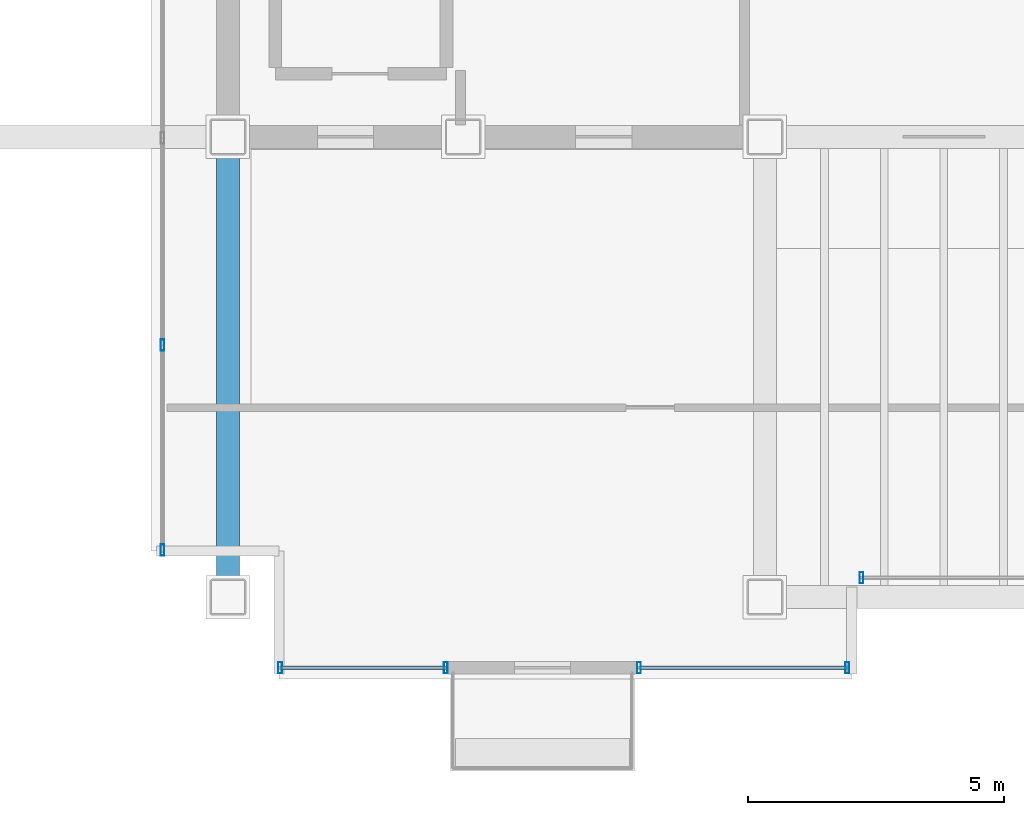
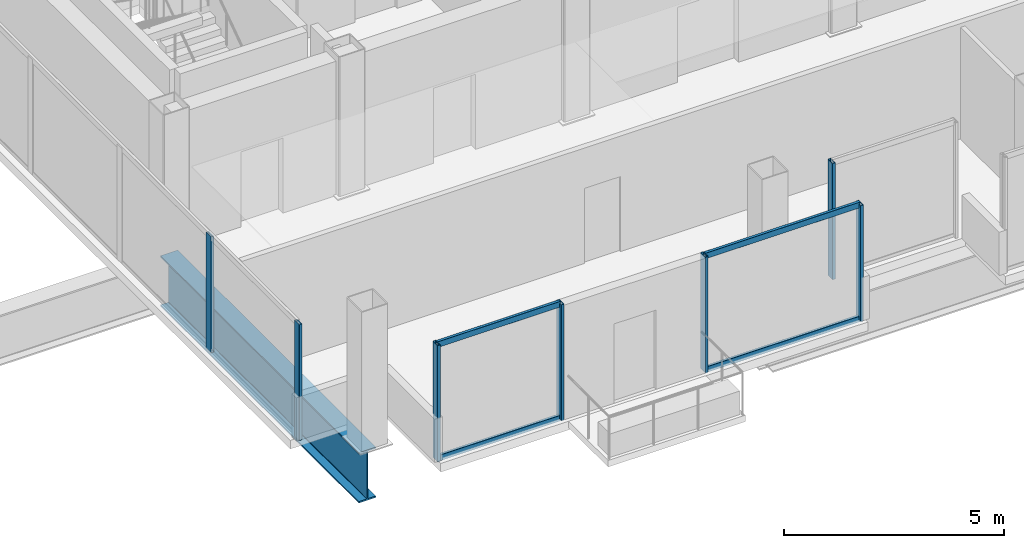
# One storey, part 2 of 17: 11 members, 1 beam, 4 elements without a shape of their own.
"""IFC4 building model written with IfcOpenShell, lengths in metres."""

from ifc_helpers import new_model, si_unit, direction, frame, origin, origin_2d, place, context, subcontext, project, spatial, hollow_rectangle, i_section, extrude, material, material_profile, profile_set, type_object, element, aggregate, save


model = new_model("IFC4")

# Units and contexts
model_context = context("Model", 3, precision=1e-05, world=origin(), true_north=direction((0.0, 1.0)))
body_context = subcontext(model_context, "Body", "Model", "MODEL_VIEW")
ifc_project = project(units=[si_unit("LENGTHUNIT", "METRE"), si_unit("AREAUNIT", "SQUARE_METRE"), si_unit("VOLUMEUNIT", "CUBIC_METRE"), si_unit("PLANEANGLEUNIT", "RADIAN"), si_unit("MASSUNIT", "GRAM", prefix="KILO")], contexts=[model_context])

# Site, building, storey
site_placement = place(None, origin())
site = spatial("IfcSite", under=ifc_project, at=site_placement, CompositionType="ELEMENT")
building_placement = place(site_placement, origin())
building = spatial("IfcBuilding", under=site, at=building_placement, Name="Noeulbin Bourse Tower", CompositionType="ELEMENT")
storey_placement = place(building_placement, frame((0.0, 0.0, 281.300048828125)))
storey = spatial("IfcBuildingStorey", under=building, at=storey_placement, Name="L70", CompositionType="ELEMENT", Elevation=281.300048828125)

# Beam
ifc_material_1 = material(Name="Steel S460", Category="steel")
ifc_material_profile_1 = material_profile(ifc_material_1, i_section(OverallWidth=0.449951171875, OverallDepth=1.39990234375, WebThickness=0.02392578125, FlangeThickness=0.0400390625, FilletRadius=0.02392578125, at=origin_2d()), Name="PG-1400x450x24x40", Category="LoadBearing")
ifc_profile_set_1 = profile_set([ifc_material_profile_1], Name="Steel S460")
beam_type = type_object("IfcBeamType", Name="BM-TRF-1400", PredefinedType="USERDEFINED", material=ifc_profile_set_1)
beam_placement = place(storey_placement, frame((13.5, 20.0, -0.93994140625), z_axis=(0.0, 1.0, 0.0), x_axis=(-1.0, 0.0, 0.0)))
element("IfcBeam", 1, at=beam_placement, inside=storey, type_object=beam_type, Name="Tower Primary Girder NS L70-1.1", ObjectType="GIRDER", PredefinedType="USERDEFINED", context=body_context, shape_type="SweptSolid", body=[
    extrude(i_section(OverallWidth=0.449951171875, OverallDepth=1.39990234375, WebThickness=0.02392578125, FlangeThickness=0.0400390625, FilletRadius=0.02392578125, at=origin_2d()), origin(), (0.0, 0.0, 1.0), 9.0),
])

# Curtain wall, member
ifc_material_2 = material(Name="High-Selectivity Low-Iron Glazing", Category="glass")
curtain_wall_type = type_object("IfcCurtainWallType", Name="CW-SYS-4", PredefinedType="NOTDEFINED", material=ifc_material_2)
curtain_wall_1_placement = place(storey_placement, origin())
curtain_wall_1 = element("IfcCurtainWall", 2, at=curtain_wall_1_placement, inside=storey, type_object=curtain_wall_type, Name="Unitised Curtain Wall CW-L70-SREC", PredefinedType="NOTDEFINED")
ifc_material_3 = material(Name="Anodised Aluminium 6063-T6", Category="aluminium")
ifc_material_profile_2 = material_profile(ifc_material_3, hollow_rectangle(XDim=0.074951171875, YDim=0.219970703125, WallThickness=0.0048828125, InnerFilletRadius=0.00244140625, OuterFilletRadius=0.0048828125, at=origin_2d()), Name="ALU-MULL-75x220x5", Category="LoadBearing")
ifc_profile_set_2 = profile_set([ifc_material_profile_2], Name="Anodised Aluminium 6063-T6")
member_type_1 = type_object("IfcMemberType", Name="CW-SYS-4-MUL", PredefinedType="MULLION", material=ifc_profile_set_2)
member_1_placement = place(storey_placement, frame((25.889892578125, 20.3798828125, -0.02001953125), z_axis=(0.0, 0.0, 1.0), x_axis=(1.0, 0.0, 0.0)))
member_1 = element("IfcMember", 3, at=member_1_placement, type_object=member_type_1, Name="Curtain Wall Mullion CW-L70-SREC-M00", PredefinedType="MULLION", context=body_context, shape_type="SweptSolid", body=[
    extrude(hollow_rectangle(XDim=0.074951171875, YDim=0.219970703125, WallThickness=0.0048828125, InnerFilletRadius=0.00244140625, OuterFilletRadius=0.0048828125, at=origin_2d()), origin(), (0.0, 0.0, 1.0), 3.219970703125),
])
aggregate(curtain_wall_1, [member_1])

# Curtain wall, members
curtain_wall_2_placement = place(storey_placement, origin())
curtain_wall_2 = element("IfcCurtainWall", 4, at=curtain_wall_2_placement, inside=storey, type_object=curtain_wall_type, Name="Unitised Curtain Wall CW-L70-S1", PredefinedType="NOTDEFINED")
member_2_placement = place(storey_placement, frame((14.52001953125, 18.6201171875, -0.02001953125), z_axis=(0.0, 0.0, 1.0), x_axis=(1.0, 0.0, 0.0)))
member_2 = element("IfcMember", 5, at=member_2_placement, type_object=member_type_1, Name="Curtain Wall Mullion CW-L70-S1-M00", PredefinedType="MULLION", context=body_context, shape_type="SweptSolid", body=[
    extrude(hollow_rectangle(XDim=0.074951171875, YDim=0.219970703125, WallThickness=0.0048828125, InnerFilletRadius=0.00244140625, OuterFilletRadius=0.0048828125, at=origin_2d()), origin(), (0.0, 0.0, 1.0), 3.219970703125),
])
member_3_placement = place(storey_placement, frame((17.760009765625, 18.6201171875, -0.02001953125), z_axis=(0.0, 0.0, 1.0), x_axis=(1.0, 0.0, 0.0)))
member_3 = element("IfcMember", 6, at=member_3_placement, type_object=member_type_1, Name="Curtain Wall Mullion CW-L70-S1-M01", PredefinedType="MULLION", context=body_context, shape_type="SweptSolid", body=[
    extrude(hollow_rectangle(XDim=0.074951171875, YDim=0.219970703125, WallThickness=0.0048828125, InnerFilletRadius=0.00244140625, OuterFilletRadius=0.0048828125, at=origin_2d()), origin(), (0.0, 0.0, 1.0), 3.219970703125),
])

curtain_wall_3_placement = place(storey_placement, origin())
curtain_wall_3 = element("IfcCurtainWall", 7, at=curtain_wall_3_placement, inside=storey, type_object=curtain_wall_type, Name="Unitised Curtain Wall CW-L70-S2", PredefinedType="NOTDEFINED")
member_4_placement = place(storey_placement, frame((21.5400390625, 18.6201171875, -0.02001953125), z_axis=(0.0, 0.0, 1.0), x_axis=(1.0, 0.0, 0.0)))
member_4 = element("IfcMember", 8, at=member_4_placement, type_object=member_type_1, Name="Curtain Wall Mullion CW-L70-S2-M00", PredefinedType="MULLION", context=body_context, shape_type="SweptSolid", body=[
    extrude(hollow_rectangle(XDim=0.074951171875, YDim=0.219970703125, WallThickness=0.0048828125, InnerFilletRadius=0.00244140625, OuterFilletRadius=0.0048828125, at=origin_2d()), origin(), (0.0, 0.0, 1.0), 3.219970703125),
])
member_5_placement = place(storey_placement, frame((25.610107421875, 18.6201171875, -0.02001953125), z_axis=(0.0, 0.0, 1.0), x_axis=(1.0, 0.0, 0.0)))
member_5 = element("IfcMember", 9, at=member_5_placement, type_object=member_type_1, Name="Curtain Wall Mullion CW-L70-S2-M01", PredefinedType="MULLION", context=body_context, shape_type="SweptSolid", body=[
    extrude(hollow_rectangle(XDim=0.074951171875, YDim=0.219970703125, WallThickness=0.0048828125, InnerFilletRadius=0.00244140625, OuterFilletRadius=0.0048828125, at=origin_2d()), origin(), (0.0, 0.0, 1.0), 3.219970703125),
])

curtain_wall_4_placement = place(storey_placement, origin())
curtain_wall_4 = element("IfcCurtainWall", 10, at=curtain_wall_4_placement, inside=storey, type_object=curtain_wall_type, Name="Unitised Curtain Wall CW-L70-W", PredefinedType="NOTDEFINED")
member_6_placement = place(storey_placement, frame((12.219970703125, 20.919921875, -0.02001953125), z_axis=(0.0, 0.0, 1.0), x_axis=(1.0, 0.0, 0.0)))
member_6 = element("IfcMember", 11, at=member_6_placement, type_object=member_type_1, Name="Curtain Wall Mullion CW-L70-W-M00", PredefinedType="MULLION", context=body_context, shape_type="SweptSolid", body=[
    extrude(hollow_rectangle(XDim=0.074951171875, YDim=0.219970703125, WallThickness=0.0048828125, InnerFilletRadius=0.00244140625, OuterFilletRadius=0.0048828125, at=origin_2d()), origin(), (0.0, 0.0, 1.0), 3.219970703125),
])
member_7_placement = place(storey_placement, frame((12.219970703125, 24.927978515625, -0.02001953125), z_axis=(0.0, 0.0, 1.0), x_axis=(1.0, 0.0, 0.0)))
member_7 = element("IfcMember", 12, at=member_7_placement, type_object=member_type_1, Name="Curtain Wall Mullion CW-L70-W-M01", PredefinedType="MULLION", context=body_context, shape_type="SweptSolid", body=[
    extrude(hollow_rectangle(XDim=0.074951171875, YDim=0.219970703125, WallThickness=0.0048828125, InnerFilletRadius=0.00244140625, OuterFilletRadius=0.0048828125, at=origin_2d()), origin(), (0.0, 0.0, 1.0), 3.219970703125),
])
aggregate(curtain_wall_4, [member_6, member_7])

# Member
ifc_material_profile_3 = material_profile(ifc_material_3, hollow_rectangle(XDim=0.074951171875, YDim=0.159912109375, WallThickness=0.0048828125, InnerFilletRadius=0.00244140625, OuterFilletRadius=0.0048828125, at=origin_2d()), Name="ALU-TRAN-75x160x5", Category="LoadBearing")
ifc_profile_set_3 = profile_set([ifc_material_profile_3], Name="Anodised Aluminium 6063-T6")
member_type_2 = type_object("IfcMemberType", Name="CW-SYS-4-TRN", PredefinedType="USERDEFINED", material=ifc_profile_set_3)
member_8_placement = place(storey_placement, frame((14.530029296875, 18.6201171875, 0.010009765625), z_axis=(1.0, 0.0, 0.0), x_axis=(0.0, 1.0, 0.0)))
member_8 = element("IfcMember", 13, at=member_8_placement, type_object=member_type_2, Name="Curtain Wall Transom CW-L70-S1-T00", ObjectType="TRANSOM", PredefinedType="USERDEFINED", context=body_context, shape_type="SweptSolid", body=[
    extrude(hollow_rectangle(XDim=0.074951171875, YDim=0.159912109375, WallThickness=0.0048828125, InnerFilletRadius=0.00244140625, OuterFilletRadius=0.0048828125, at=origin_2d()), origin(), (0.0, 0.0, 1.0), 3.219970703125),
])

member_9_placement = place(storey_placement, frame((14.530029296875, 18.6201171875, 3.169921875), z_axis=(1.0, 0.0, 0.0), x_axis=(0.0, 1.0, 0.0)))
member_9 = element("IfcMember", 14, at=member_9_placement, type_object=member_type_2, Name="Curtain Wall Transom CW-L70-S1-T01", ObjectType="TRANSOM", PredefinedType="USERDEFINED", context=body_context, shape_type="SweptSolid", body=[
    extrude(hollow_rectangle(XDim=0.074951171875, YDim=0.159912109375, WallThickness=0.0048828125, InnerFilletRadius=0.00244140625, OuterFilletRadius=0.0048828125, at=origin_2d()), origin(), (0.0, 0.0, 1.0), 3.219970703125),
])

aggregate(curtain_wall_2, [member_2, member_3, member_8, member_9])

member_10_placement = place(storey_placement, frame((21.550048828125, 18.6201171875, 0.010009765625), z_axis=(1.0, 0.0, 0.0), x_axis=(0.0, 1.0, 0.0)))
member_10 = element("IfcMember", 15, at=member_10_placement, type_object=member_type_2, Name="Curtain Wall Transom CW-L70-S2-T00", ObjectType="TRANSOM", PredefinedType="USERDEFINED", context=body_context, shape_type="SweptSolid", body=[
    extrude(hollow_rectangle(XDim=0.074951171875, YDim=0.159912109375, WallThickness=0.0048828125, InnerFilletRadius=0.00244140625, OuterFilletRadius=0.0048828125, at=origin_2d()), origin(), (0.0, 0.0, 1.0), 4.050048828125),
])

member_11_placement = place(storey_placement, frame((21.550048828125, 18.6201171875, 3.169921875), z_axis=(1.0, 0.0, 0.0), x_axis=(0.0, 1.0, 0.0)))
member_11 = element("IfcMember", 16, at=member_11_placement, type_object=member_type_2, Name="Curtain Wall Transom CW-L70-S2-T01", ObjectType="TRANSOM", PredefinedType="USERDEFINED", context=body_context, shape_type="SweptSolid", body=[
    extrude(hollow_rectangle(XDim=0.074951171875, YDim=0.159912109375, WallThickness=0.0048828125, InnerFilletRadius=0.00244140625, OuterFilletRadius=0.0048828125, at=origin_2d()), origin(), (0.0, 0.0, 1.0), 4.050048828125),
])

aggregate(curtain_wall_3, [member_4, member_5, member_10, member_11])

save(model, "model.ifc")
